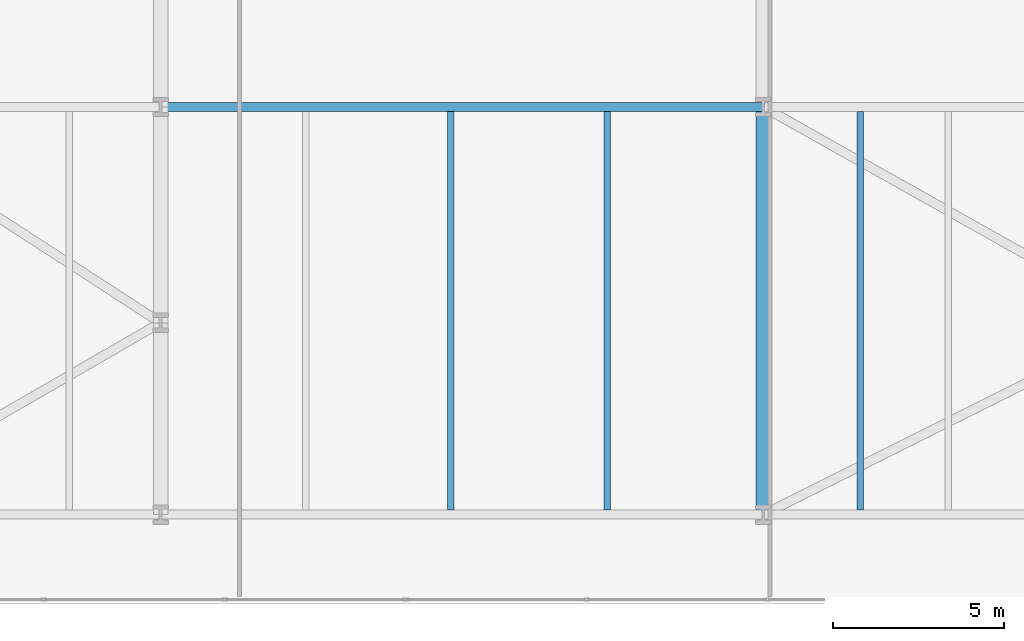
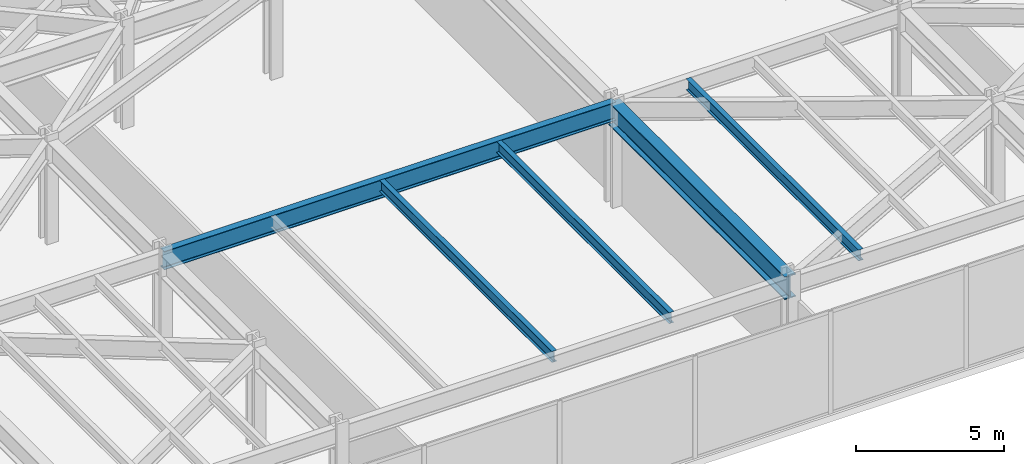
# One storey, part 15 of 28: 5 beams.
"""IFC4 building model written with IfcOpenShell, lengths in metres."""

from ifc_helpers import new_model, si_unit, direction, frame, origin, origin_2d, place, context, subcontext, project, spatial, i_section, extrude, material, material_profile, profile_set, type_object, element, save


model = new_model("IFC4")

# Units and contexts
model_context = context("Model", 3, precision=1e-05, world=origin(), true_north=direction((0.0, 1.0)))
body_context = subcontext(model_context, "Body", "Model", "MODEL_VIEW")
ifc_project = project(units=[si_unit("LENGTHUNIT", "METRE"), si_unit("AREAUNIT", "SQUARE_METRE"), si_unit("VOLUMEUNIT", "CUBIC_METRE"), si_unit("PLANEANGLEUNIT", "RADIAN"), si_unit("MASSUNIT", "GRAM", prefix="KILO")], contexts=[model_context])

# Site, building, storey
site_placement = place(None, origin())
site = spatial("IfcSite", under=ifc_project, at=site_placement, CompositionType="ELEMENT")
building_placement = place(site_placement, origin())
building = spatial("IfcBuilding", under=site, at=building_placement, Name="Kravanh Interchange Tower", CompositionType="ELEMENT")
storey_placement = place(building_placement, frame((0.0, 0.0, 10.800048828125)))
storey = spatial("IfcBuildingStorey", under=building, at=storey_placement, Name="L02", CompositionType="ELEMENT", Elevation=10.800048828125)

# Beams
ifc_material_1 = material(Name="Structural Steel S450", Category="steel")
ifc_material_profile_1 = material_profile(ifc_material_1, i_section(OverallWidth=0.423095703125, OverallDepth=0.947998046875, WebThickness=0.02392578125, FlangeThickness=0.042724609375, FilletRadius=0.028076171875, at=origin_2d()), Name="W36X302")
ifc_profile_set_1 = profile_set([ifc_material_profile_1], Name="Structural Steel S450")
beam_type_1 = type_object("IfcBeamType", Name="Floor Beam W36X302 Structural Steel S450", PredefinedType="BEAM", material=ifc_profile_set_1)
beam_1_placement = place(storey_placement, frame((44.800048828125, 2.60009765625, 3.755859375), z_axis=(0.0, 1.0, 0.0), x_axis=(-1.0, 0.0, 0.0)))
element("IfcBeam", 1, at=beam_1_placement, inside=storey, type_object=beam_type_1, Name="L02 Primary Floor Girder 11", PredefinedType="BEAM", context=body_context, shape_type="SweptSolid", body=[
    extrude(i_section(OverallWidth=0.423095703125, OverallDepth=0.947998046875, WebThickness=0.02392578125, FlangeThickness=0.042724609375, FilletRadius=0.028076171875, at=origin_2d()), origin(), (0.0, 0.0, 1.0), 11.89990234375),
])
ifc_material_2 = material(Name="Structural Steel S355", Category="steel")
ifc_material_profile_2 = material_profile(ifc_material_2, i_section(OverallWidth=0.18994140625, OverallDepth=0.45703125, WebThickness=0.009033203125, FlangeThickness=0.014404296875, FilletRadius=0.01806640625, at=origin_2d()), Name="W18X50")
ifc_profile_set_2 = profile_set([ifc_material_profile_2], Name="Structural Steel S355")
beam_type_2 = type_object("IfcBeamType", Name="Floor Joist W18X50 Structural Steel S355", PredefinedType="JOIST", material=ifc_profile_set_2)
for number, where, z_axis, x_axis, name in (
    (2, (35.674072265625, 2.728515625, 4.00146484375), (0.0, 1.0, 0.0), (-1.0, 0.0, 0.0), "L02 Secondary Floor Joist 8"),
    (3, (40.238037109375, 2.728515625, 4.00146484375), (0.0, 1.0, 0.0), (-1.0, 0.0, 0.0), "L02 Secondary Floor Joist 9"),
    (4, (47.6279296875, 2.728515625, 4.00146484375), (0.0, 1.0, 0.0), (-1.0, 0.0, 0.0), "L02 Secondary Floor Joist 10"),
):
    element("IfcBeam", number, at=place(storey_placement, frame(where, z_axis=z_axis, x_axis=x_axis)), inside=storey, type_object=beam_type_2, Name=name, PredefinedType="JOIST", context=body_context, shape_type="SweptSolid", body=[
        extrude(i_section(OverallWidth=0.18994140625, OverallDepth=0.45703125, WebThickness=0.009033203125, FlangeThickness=0.014404296875, FilletRadius=0.01806640625, at=origin_2d()), origin(), (0.0, 0.0, 1.0), 11.64306640625),
    ])
ifc_material_3 = material(Name="Structural Steel S355", Category="steel")
ifc_material_profile_3 = material_profile(ifc_material_3, i_section(OverallWidth=0.26708984375, OverallDepth=0.761962890625, WebThickness=0.014404296875, FlangeThickness=0.021484375, FilletRadius=0.02490234375, at=origin_2d()), Name="W30X116")
ifc_profile_set_3 = profile_set([ifc_material_profile_3], Name="Structural Steel S355")
beam_type_3 = type_object("IfcBeamType", Name="Floor Spandrel W30X116 Structural Steel S355", PredefinedType="SPANDREL", material=ifc_profile_set_3)
beam_2_placement = place(storey_placement, frame((27.199951171875, 14.5, 3.848876953125), z_axis=(1.0, 0.0, 0.0), x_axis=(0.0, 1.0, 0.0)))
element("IfcBeam", 5, at=beam_2_placement, inside=storey, type_object=beam_type_3, Name="L02 Perimeter Spandrel 46", PredefinedType="SPANDREL", context=body_context, shape_type="SweptSolid", body=[
    extrude(i_section(OverallWidth=0.26708984375, OverallDepth=0.761962890625, WebThickness=0.014404296875, FlangeThickness=0.021484375, FilletRadius=0.02490234375, at=origin_2d()), origin(), (0.0, 0.0, 1.0), 17.60009765625),
])

save(model, "model.ifc")
